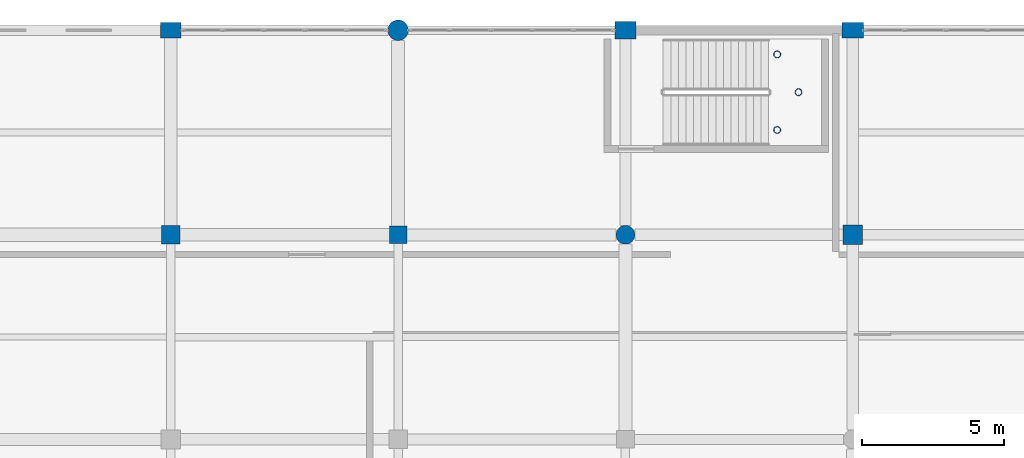
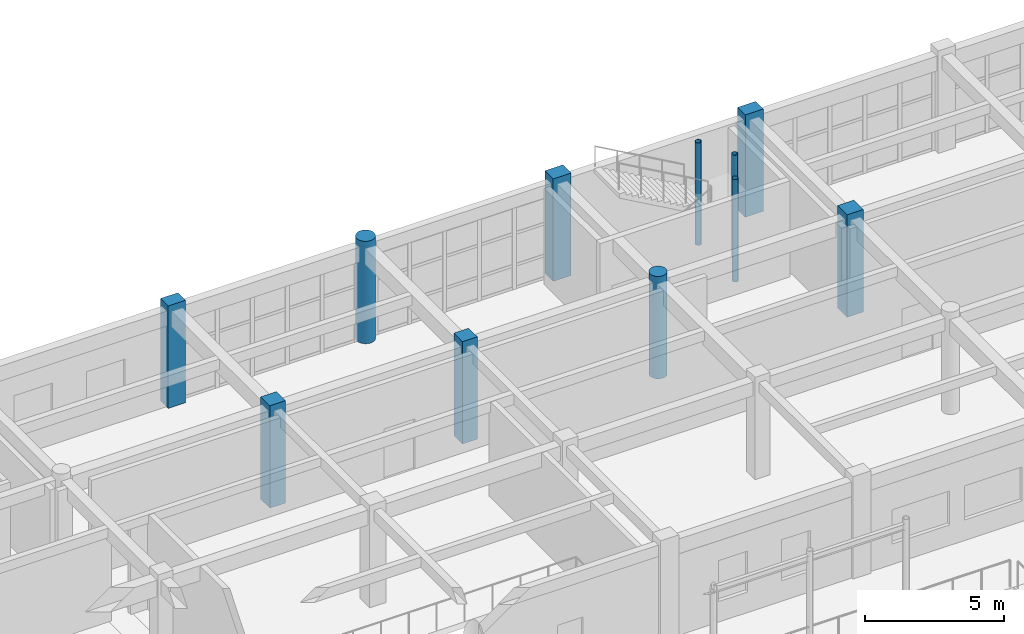
# One storey, part 35 of 160: 11 columns.
"""IFC4 building model written with IfcOpenShell, lengths in metres."""

from ifc_helpers import new_model, si_unit, direction, frame, origin, origin_2d, place, context, subcontext, project, spatial, rectangle, circle, hollow_circle, extrude, material, material_profile, profile_set, type_object, element, save


model = new_model("IFC4")

# Units and contexts
model_context = context("Model", 3, precision=1e-05, world=origin(), true_north=direction((0.0, 1.0)))
body_context = subcontext(model_context, "Body", "Model", "MODEL_VIEW")
ifc_project = project(units=[si_unit("LENGTHUNIT", "METRE"), si_unit("AREAUNIT", "SQUARE_METRE"), si_unit("VOLUMEUNIT", "CUBIC_METRE"), si_unit("PLANEANGLEUNIT", "RADIAN"), si_unit("MASSUNIT", "GRAM", prefix="KILO")], contexts=[model_context])

# Site, building, storey
site_placement = place(None, origin())
site = spatial("IfcSite", under=ifc_project, at=site_placement, CompositionType="ELEMENT")
building_placement = place(site_placement, origin())
building = spatial("IfcBuilding", under=site, at=building_placement, Name="Kharva Crest Polytechnic", CompositionType="ELEMENT")
storey_placement = place(building_placement, frame((0.0, 0.0, 4.5)))
storey = spatial("IfcBuildingStorey", under=building, at=storey_placement, Name="L01", CompositionType="ELEMENT", Elevation=4.5)

# Columns
ifc_material_1 = material(Name="Concrete C40/50", Category="concrete")
ifc_material_profile_1 = material_profile(ifc_material_1, rectangle(XDim=0.719970703125, YDim=0.550048828125, at=origin_2d()), Name="RECT 720 X 550")
ifc_profile_set_1 = profile_set([ifc_material_profile_1], Name="Concrete C40/50")
column_type_1 = type_object("IfcColumnType", Name="COL-EXT-720X550", PredefinedType="COLUMN", material=ifc_profile_set_1)
column_1_placement = place(storey_placement, frame((128.800048828125, 122.0, 0.0), z_axis=(0.0, 0.0, 1.0), x_axis=(1.0, 0.0, 0.0)))
element("IfcColumn", 1, at=column_1_placement, inside=storey, type_object=column_type_1, Name="L01 Column 17/S", PredefinedType="COLUMN", context=body_context, shape_type="SweptSolid", body=[
    extrude(rectangle(XDim=0.719970703125, YDim=0.550048828125, at=origin_2d()), origin(), (0.0, 0.0, 1.0), 4.5),
])
ifc_material_profile_2 = material_profile(ifc_material_1, rectangle(XDim=0.75, YDim=0.550048828125, at=origin_2d()), Name="RECT 750 X 550")
ifc_profile_set_2 = profile_set([ifc_material_profile_2], Name="Concrete C40/50")
column_type_2 = type_object("IfcColumnType", Name="COL-EXT-750X550", PredefinedType="COLUMN", material=ifc_profile_set_2)
column_2_placement = place(storey_placement, frame((152.800048828125, 122.0, 0.0), z_axis=(0.0, 0.0, 1.0), x_axis=(1.0, 0.0, 0.0)))
element("IfcColumn", 2, at=column_2_placement, inside=storey, type_object=column_type_2, Name="L01 Column 20/S", PredefinedType="COLUMN", context=body_context, shape_type="SweptSolid", body=[
    extrude(rectangle(XDim=0.75, YDim=0.550048828125, at=origin_2d()), origin(), (0.0, 0.0, 1.0), 4.5),
])
ifc_material_profile_3 = material_profile(ifc_material_1, rectangle(XDim=0.75, YDim=0.60009765625, at=origin_2d()), Name="RECT 750 X 600")
ifc_profile_set_3 = profile_set([ifc_material_profile_3], Name="Concrete C40/50")
column_type_3 = type_object("IfcColumnType", Name="COL-EXT-750X600", PredefinedType="COLUMN", material=ifc_profile_set_3)
column_3_placement = place(storey_placement, frame((144.800048828125, 122.0, 0.0), z_axis=(0.0, 0.0, 1.0), x_axis=(1.0, 0.0, 0.0)))
element("IfcColumn", 3, at=column_3_placement, inside=storey, type_object=column_type_3, Name="L01 Column 19/S", PredefinedType="COLUMN", context=body_context, shape_type="SweptSolid", body=[
    extrude(rectangle(XDim=0.75, YDim=0.60009765625, at=origin_2d()), origin(), (0.0, 0.0, 1.0), 4.5),
])
ifc_material_profile_4 = material_profile(ifc_material_1, circle(Radius=0.360107421875, at=origin_2d()), Name="DIA 720")
ifc_profile_set_4 = profile_set([ifc_material_profile_4], Name="Concrete C40/50")
column_type_4 = type_object("IfcColumnType", Name="COL-EXT-DIA720", PredefinedType="COLUMN", material=ifc_profile_set_4)
column_4_placement = place(storey_placement, frame((136.800048828125, 122.0, 0.0), z_axis=(0.0, 0.0, 1.0), x_axis=(1.0, 0.0, 0.0)))
element("IfcColumn", 4, at=column_4_placement, inside=storey, type_object=column_type_4, Name="L01 Column 18/S", PredefinedType="COLUMN", context=body_context, shape_type="SweptSolid", body=[
    extrude(circle(Radius=0.360107421875, at=origin_2d()), origin(), (0.0, 0.0, 1.0), 4.5),
])
ifc_material_profile_5 = material_profile(ifc_material_1, rectangle(XDim=0.6201171875, YDim=0.6201171875, at=origin_2d()), Name="RECT 620 X 620")
ifc_profile_set_5 = profile_set([ifc_material_profile_5], Name="Concrete C40/50")
column_type_5 = type_object("IfcColumnType", Name="COL-INT-620X620", PredefinedType="COLUMN", material=ifc_profile_set_5)
column_5_placement = place(storey_placement, frame((136.800048828125, 114.800048828125, 0.0), z_axis=(0.0, 0.0, 1.0), x_axis=(1.0, 0.0, 0.0)))
element("IfcColumn", 5, at=column_5_placement, inside=storey, type_object=column_type_5, Name="L01 Column 18/R", PredefinedType="COLUMN", context=body_context, shape_type="SweptSolid", body=[
    extrude(rectangle(XDim=0.6201171875, YDim=0.6201171875, at=origin_2d()), origin(), (0.0, 0.0, 1.0), 4.5),
])
ifc_material_profile_6 = material_profile(ifc_material_1, rectangle(XDim=0.64990234375, YDim=0.64990234375, at=origin_2d()), Name="RECT 650 X 650")
ifc_profile_set_6 = profile_set([ifc_material_profile_6], Name="Concrete C40/50")
column_type_6 = type_object("IfcColumnType", Name="COL-INT-650X650", PredefinedType="COLUMN", material=ifc_profile_set_6)
column_6_placement = place(storey_placement, frame((128.800048828125, 114.800048828125, 0.0), z_axis=(0.0, 0.0, 1.0), x_axis=(1.0, 0.0, 0.0)))
element("IfcColumn", 6, at=column_6_placement, inside=storey, type_object=column_type_6, Name="L01 Column 17/R", PredefinedType="COLUMN", context=body_context, shape_type="SweptSolid", body=[
    extrude(rectangle(XDim=0.64990234375, YDim=0.64990234375, at=origin_2d()), origin(), (0.0, 0.0, 1.0), 4.5),
])
ifc_material_profile_7 = material_profile(ifc_material_1, rectangle(XDim=0.679931640625, YDim=0.679931640625, at=origin_2d()), Name="RECT 680 X 680")
ifc_profile_set_7 = profile_set([ifc_material_profile_7], Name="Concrete C40/50")
column_type_7 = type_object("IfcColumnType", Name="COL-INT-680X680", PredefinedType="COLUMN", material=ifc_profile_set_7)
column_7_placement = place(storey_placement, frame((152.800048828125, 114.800048828125, 0.0), z_axis=(0.0, 0.0, 1.0), x_axis=(1.0, 0.0, 0.0)))
element("IfcColumn", 7, at=column_7_placement, inside=storey, type_object=column_type_7, Name="L01 Column 20/R", PredefinedType="COLUMN", context=body_context, shape_type="SweptSolid", body=[
    extrude(rectangle(XDim=0.679931640625, YDim=0.679931640625, at=origin_2d()), origin(), (0.0, 0.0, 1.0), 4.5),
])
ifc_material_profile_8 = material_profile(ifc_material_1, circle(Radius=0.330078125, at=origin_2d()), Name="DIA 660")
ifc_profile_set_8 = profile_set([ifc_material_profile_8], Name="Concrete C40/50")
column_type_8 = type_object("IfcColumnType", Name="COL-INT-DIA660", PredefinedType="COLUMN", material=ifc_profile_set_8)
column_8_placement = place(storey_placement, frame((144.800048828125, 114.800048828125, 0.0), z_axis=(0.0, 0.0, 1.0), x_axis=(1.0, 0.0, 0.0)))
element("IfcColumn", 8, at=column_8_placement, inside=storey, type_object=column_type_8, Name="L01 Column 19/R", PredefinedType="COLUMN", context=body_context, shape_type="SweptSolid", body=[
    extrude(circle(Radius=0.330078125, at=origin_2d()), origin(), (0.0, 0.0, 1.0), 4.5),
])
ifc_material_2 = material(Name="Steel S355", Category="steel")
ifc_material_profile_9 = material_profile(ifc_material_2, hollow_circle(Radius=0.122314453125, WallThickness=0.010009765625, at=origin_2d()), Name="CHS 244.5X10.0")
ifc_profile_set_9 = profile_set([ifc_material_profile_9], Name="Steel S355")
column_type_9 = type_object("IfcColumnType", Name="COL-STL-CHS244", PredefinedType="COLUMN", material=ifc_profile_set_9)
for number, where, z_axis, x_axis, name in (
    (9, (150.139892578125, 118.489990234375, 0.0), (0.0, 0.0, 1.0), (1.0, 0.0, 0.0), "L01 Stair ST-09 Landing Support Column SW"),
    (10, (150.139892578125, 121.14990234375, 0.0), (0.0, 0.0, 1.0), (1.0, 0.0, 0.0), "L01 Stair ST-09 Landing Support Column NW"),
    (11, (150.889892578125, 119.820068359375, 0.0), (0.0, 0.0, 1.0), (1.0, 0.0, 0.0), "L01 Stair ST-09 Landing Support Column EM"),
):
    element("IfcColumn", number, at=place(storey_placement, frame(where, z_axis=z_axis, x_axis=x_axis)), inside=storey, type_object=column_type_9, Name=name, PredefinedType="COLUMN", context=body_context, shape_type="SweptSolid", body=[
        extrude(hollow_circle(Radius=0.122314453125, WallThickness=0.010009765625, at=origin_2d()), origin(), (0.0, 0.0, 1.0), 4.5),
    ])

save(model, "model.ifc")
